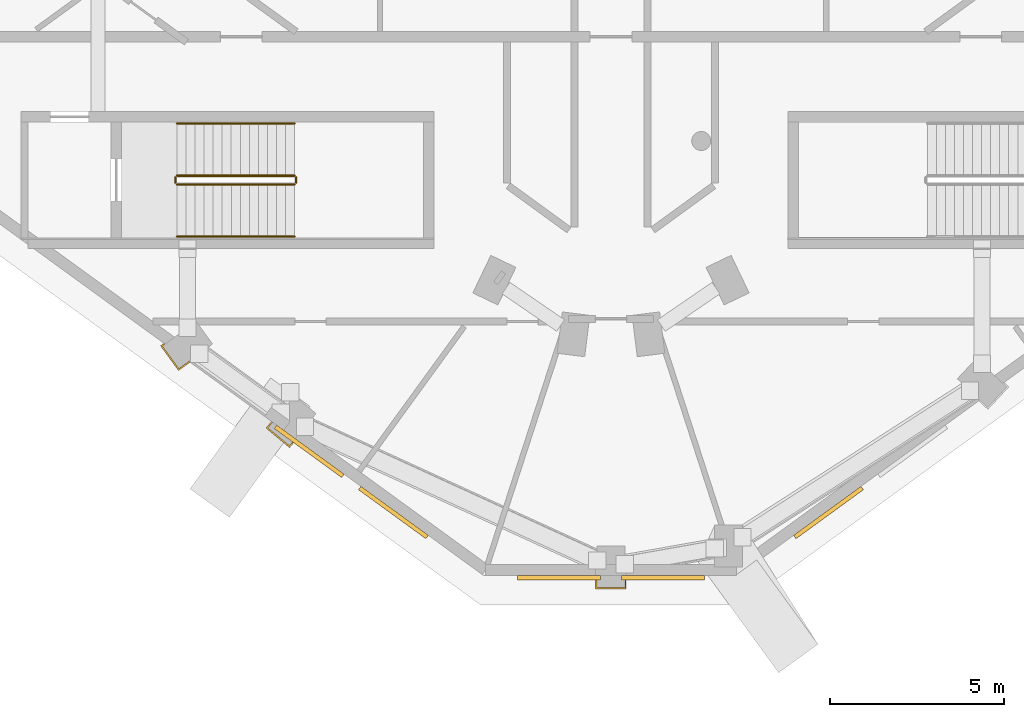
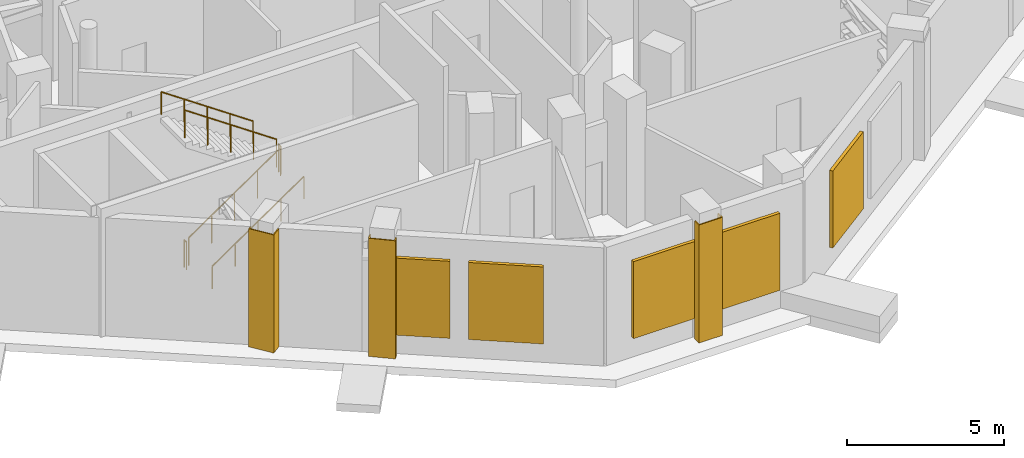
# One storey, part 11 of 15: 6 railings, 5 shading devices, 3 coverings.
"""IFC4 building model written with IfcOpenShell, lengths in metres."""

from ifc_helpers import new_model, si_unit, direction, frame, origin, origin_2d, place, context, subcontext, project, spatial, polyline, rectangle, circle, outline, extrude, material, layer, layer_set, type_object, element, save


model = new_model("IFC4")

# Units and contexts
model_context = context("Model", 3, precision=1e-05, world=origin(), true_north=direction((0.0, 1.0)))
body_context = subcontext(model_context, "Body", "Model", "MODEL_VIEW")
ifc_project = project(units=[si_unit("LENGTHUNIT", "METRE"), si_unit("AREAUNIT", "SQUARE_METRE"), si_unit("VOLUMEUNIT", "CUBIC_METRE"), si_unit("PLANEANGLEUNIT", "RADIAN"), si_unit("MASSUNIT", "GRAM", prefix="KILO")], contexts=[model_context])

# Site, building, storey
site_placement = place(None, origin())
site = spatial("IfcSite", under=ifc_project, at=site_placement, CompositionType="ELEMENT")
building_placement = place(site_placement, origin())
building = spatial("IfcBuilding", under=site, at=building_placement, Name="White Candle Pilgrim Tower", CompositionType="ELEMENT")
storey_placement = place(building_placement, frame((0.0, 0.0, 295.10009765625)))
storey = spatial("IfcBuildingStorey", under=building, at=storey_placement, Name="L70", CompositionType="ELEMENT", Elevation=295.10009765625)

# Shading devices
ifc_material_1 = material(Name="Aluminium", Category="aluminium")
shading_device_type = type_object("IfcShadingDeviceType", Name="Plant louvre LV1 2400x3000 aluminium framed", PredefinedType="USERDEFINED", material=ifc_material_1)
for number, where, z_axis, x_axis, name in (
    (1, (61.305419921875, 52.05810546875, 0.7998046875), (0.0, 0.0, 1.0), (0.809016996457, -0.587785249426, 0.0), "Plant louvre L70 SW 5"),
    (2, (63.732421875, 50.294921875, 0.7998046875), (0.0, 0.0, 1.0), (0.809016996457, -0.587785249426, 0.0), "Plant louvre L70 SW 6"),
    (3, (68.5, 48.416259765625, 0.7998046875), (0.0, 0.0, 1.0), (1.0, 0.0, 0.0), "Plant louvre L70 S chamfer 1"),
    (4, (71.5, 48.416259765625, 0.7998046875), (0.0, 0.0, 1.0), (1.0, 0.0, 0.0), "Plant louvre L70 S chamfer 2"),
    (5, (76.267578125, 50.294921875, 0.7998046875), (0.0, 0.0, 1.0), (0.809016996457, 0.587785249426, 0.0), "Plant louvre L70 SE 1"),
):
    element("IfcShadingDevice", number, at=place(storey_placement, frame(where, z_axis=z_axis, x_axis=x_axis)), inside=storey, type_object=shading_device_type, Name=name, ObjectType="LOUVRE", PredefinedType="USERDEFINED", context=body_context, shape_type="SweptSolid", body=[
        extrude(rectangle(XDim=2.39990234375, YDim=0.1201171875, at=origin_2d()), origin(), (0.0, 0.0, 1.0), 3.0),
    ])

# Coverings
ifc_material_2 = material(Name="Precast concrete C40/50", Category="concrete")
ifc_layer = layer(ifc_material_2, 0.0400390625)
ifc_layer_set = layer_set([ifc_layer], Name="Precast column cover CL4 40")
covering_type = type_object("IfcCoveringType", Name="Precast column cover CL4 40", PredefinedType="CLADDING", material=ifc_layer_set)
covering_1_placement = place(storey_placement, origin())
element("IfcCovering", 6, at=covering_1_placement, inside=storey, type_object=covering_type, Name="Column cover L70 T01", PredefinedType="CLADDING", context=body_context, shape_type="SweptSolid", body=[
    extrude(outline(polyline([(57.837158203125, 54.652099609375), (57.87109375, 54.62744140625), (57.54150390625, 54.3876953125), (57.023681640625, 55.09912109375), (57.122802734375, 55.171142578125), (57.15673828125, 55.146484375), (57.07958984375, 55.09033203125), (57.55029296875, 54.443603515625), (57.837158203125, 54.652099609375)])), origin(), (0.0, 0.0, 1.0), 4.599853515625),
])
covering_2_placement = place(storey_placement, origin())
element("IfcCovering", 7, at=covering_2_placement, inside=storey, type_object=covering_type, Name="Column cover L70 T02", PredefinedType="CLADDING", context=body_context, shape_type="SweptSolid", body=[
    extrude(outline(polyline([(60.82568359375, 52.33251953125), (60.85791015625, 52.30908203125), (60.739501953125, 52.16650390625), (60.0625, 52.728759765625), (60.221435546875, 52.919921875), (60.25390625, 52.896484375), (60.118896484375, 52.73388671875), (60.734375, 52.222900390625), (60.82568359375, 52.33251953125)])), origin(), (0.0, 0.0, 1.0), 4.599853515625),
])
covering_3_placement = place(storey_placement, origin())
element("IfcCovering", 8, at=covering_3_placement, inside=storey, type_object=covering_type, Name="Column cover L70 T03", PredefinedType="CLADDING", context=body_context, shape_type="SweptSolid", body=[
    extrude(outline(polyline([(70.39990234375, 48.356201171875), (70.43994140625, 48.356201171875), (70.43994140625, 48.090087890625), (69.56005859375, 48.090087890625), (69.56005859375, 48.356201171875), (69.60009765625, 48.356201171875), (69.60009765625, 48.1298828125), (70.39990234375, 48.1298828125), (70.39990234375, 48.356201171875)])), origin(), (0.0, 0.0, 1.0), 4.599853515625),
])

# Railings
ifc_material_3 = material(Name="Stainless steel", Category="steel")
railing_type_1 = type_object("IfcRailingType", Name="Stair guard stainless steel 1100 mm", PredefinedType="GUARDRAIL", material=ifc_material_3)
railing_1_placement = place(storey_placement, frame((57.5, 59.75, 0.178466796875)))
element("IfcRailing", 9, at=railing_1_placement, inside=storey, type_object=railing_type_1, Name="L70 ST5 stair guard 1", PredefinedType="GUARDRAIL", context=body_context, shape_type="SweptSolid", body=[
    extrude(circle(Radius=0.02392578125, at=origin_2d()), frame((0.0, 0.0, 1.076171875), z_axis=(0.824285065979, 0.0, 0.566174999451), x_axis=(0.0, 1.0, 0.0)), (0.0, 0.0, 1.0), 4.100341796875),
    extrude(circle(Radius=0.02099609375, at=origin_2d()), origin(), (0.0, 0.0, 1.0), 1.052001953125),
    extrude(circle(Radius=0.02099609375, at=origin_2d()), frame((0.844970703125, 0.0, 0.580322265625)), (0.0, 0.0, 1.0), 1.052001953125),
    extrude(circle(Radius=0.02099609375, at=origin_2d()), frame((1.68994140625, 0.0, 1.16064453125)), (0.0, 0.0, 1.0), 1.052001953125),
    extrude(circle(Radius=0.02099609375, at=origin_2d()), frame((2.534912109375, 0.0, 1.7412109375)), (0.0, 0.0, 1.0), 1.052001953125),
    extrude(circle(Radius=0.02099609375, at=origin_2d()), frame((3.3798828125, 0.0, 2.321533203125)), (0.0, 0.0, 1.0), 1.052001953125),
])
railing_2_placement = place(storey_placement, frame((60.929931640625, 59.800048828125, 2.5)))
element("IfcRailing", 10, at=railing_2_placement, inside=storey, type_object=railing_type_1, Name="L70 ST5 stair guard 2", PredefinedType="GUARDRAIL", context=body_context, shape_type="SweptSolid", body=[
    extrude(circle(Radius=0.02392578125, at=origin_2d()), frame((0.0, 0.0, 1.076171875), z_axis=(0.0, 1.0, 0.0), x_axis=(-1.0, 0.0, 0.0)), (0.0, 0.0, 1.0), 0.14990234375),
    extrude(circle(Radius=0.02099609375, at=origin_2d()), origin(), (0.0, 0.0, 1.0), 1.052001953125),
    extrude(circle(Radius=0.02099609375, at=origin_2d()), frame((0.0, 0.14990234375, 0.0)), (0.0, 0.0, 1.0), 1.052001953125),
])
railing_3_placement = place(storey_placement, frame((60.8798828125, 60.0, 2.678466796875)))
element("IfcRailing", 11, at=railing_3_placement, inside=storey, type_object=railing_type_1, Name="L70 ST5 stair guard 3", PredefinedType="GUARDRAIL", context=body_context, shape_type="SweptSolid", body=[
    extrude(circle(Radius=0.02392578125, at=origin_2d()), frame((0.0, 0.0, 1.076171875), z_axis=(-0.824285065979, 0.0, 0.566174999451), x_axis=(0.0, -1.0, 0.0)), (0.0, 0.0, 1.0), 4.100341796875),
    extrude(circle(Radius=0.02099609375, at=origin_2d()), origin(), (0.0, 0.0, 1.0), 1.052001953125),
    extrude(circle(Radius=0.02099609375, at=origin_2d()), frame((-0.844970703125, 0.0, 0.580322265625)), (0.0, 0.0, 1.0), 1.052001953125),
    extrude(circle(Radius=0.02099609375, at=origin_2d()), frame((-1.68994140625, 0.0, 1.16064453125)), (0.0, 0.0, 1.0), 1.052001953125),
    extrude(circle(Radius=0.02099609375, at=origin_2d()), frame((-2.534912109375, 0.0, 1.7412109375)), (0.0, 0.0, 1.0), 1.052001953125),
    extrude(circle(Radius=0.02099609375, at=origin_2d()), frame((-3.3798828125, 0.0, 2.321533203125)), (0.0, 0.0, 1.0), 1.052001953125),
])
railing_4_placement = place(storey_placement, frame((57.449951171875, 59.800048828125, 0.0)))
element("IfcRailing", 12, at=railing_4_placement, inside=storey, type_object=railing_type_1, Name="L70 ST5 stair guard 4", PredefinedType="GUARDRAIL", context=body_context, shape_type="SweptSolid", body=[
    extrude(circle(Radius=0.02392578125, at=origin_2d()), frame((0.0, 0.0, 1.076171875), z_axis=(0.0, 1.0, 0.0), x_axis=(-1.0, 0.0, 0.0)), (0.0, 0.0, 1.0), 0.14990234375),
    extrude(circle(Radius=0.02099609375, at=origin_2d()), origin(), (0.0, 0.0, 1.0), 1.052001953125),
    extrude(circle(Radius=0.02099609375, at=origin_2d()), frame((0.0, 0.14990234375, 0.0)), (0.0, 0.0, 1.0), 1.052001953125),
])
railing_type_2 = type_object("IfcRailingType", Name="Stair handrail stainless steel", PredefinedType="HANDRAIL", material=ifc_material_3)
railing_5_placement = place(storey_placement, frame((57.5, 58.25, 0.178466796875)))
element("IfcRailing", 13, at=railing_5_placement, inside=storey, type_object=railing_type_2, Name="L70 ST5 stair handrail 1", PredefinedType="HANDRAIL", context=body_context, shape_type="SweptSolid", body=[
    extrude(circle(Radius=0.02392578125, at=origin_2d()), frame((0.0, 0.0, 0.8759765625), z_axis=(0.824285065979, 0.0, 0.566174999451), x_axis=(0.0, 1.0, 0.0)), (0.0, 0.0, 1.0), 4.100341796875),
    extrude(circle(Radius=0.02099609375, at=origin_2d()), origin(), (0.0, 0.0, 1.0), 0.851806640625),
    extrude(circle(Radius=0.02099609375, at=origin_2d()), frame((0.844970703125, 0.0, 0.580322265625)), (0.0, 0.0, 1.0), 0.851806640625),
    extrude(circle(Radius=0.02099609375, at=origin_2d()), frame((1.68994140625, 0.0, 1.16064453125)), (0.0, 0.0, 1.0), 0.851806640625),
    extrude(circle(Radius=0.02099609375, at=origin_2d()), frame((2.534912109375, 0.0, 1.7412109375)), (0.0, 0.0, 1.0), 0.851806640625),
    extrude(circle(Radius=0.02099609375, at=origin_2d()), frame((3.3798828125, 0.0, 2.321533203125)), (0.0, 0.0, 1.0), 0.851806640625),
])
railing_6_placement = place(storey_placement, frame((60.8798828125, 61.5, 2.678466796875)))
element("IfcRailing", 14, at=railing_6_placement, inside=storey, type_object=railing_type_2, Name="L70 ST5 stair handrail 2", PredefinedType="HANDRAIL", context=body_context, shape_type="SweptSolid", body=[
    extrude(circle(Radius=0.02392578125, at=origin_2d()), frame((0.0, 0.0, 0.8759765625), z_axis=(-0.824285065979, 0.0, 0.566174999451), x_axis=(0.0, -1.0, 0.0)), (0.0, 0.0, 1.0), 4.100341796875),
    extrude(circle(Radius=0.02099609375, at=origin_2d()), origin(), (0.0, 0.0, 1.0), 0.851806640625),
    extrude(circle(Radius=0.02099609375, at=origin_2d()), frame((-0.844970703125, 0.0, 0.580322265625)), (0.0, 0.0, 1.0), 0.851806640625),
    extrude(circle(Radius=0.02099609375, at=origin_2d()), frame((-1.68994140625, 0.0, 1.16064453125)), (0.0, 0.0, 1.0), 0.851806640625),
    extrude(circle(Radius=0.02099609375, at=origin_2d()), frame((-2.534912109375, 0.0, 1.7412109375)), (0.0, 0.0, 1.0), 0.851806640625),
    extrude(circle(Radius=0.02099609375, at=origin_2d()), frame((-3.3798828125, 0.0, 2.321533203125)), (0.0, 0.0, 1.0), 0.851806640625),
])

save(model, "model.ifc")
